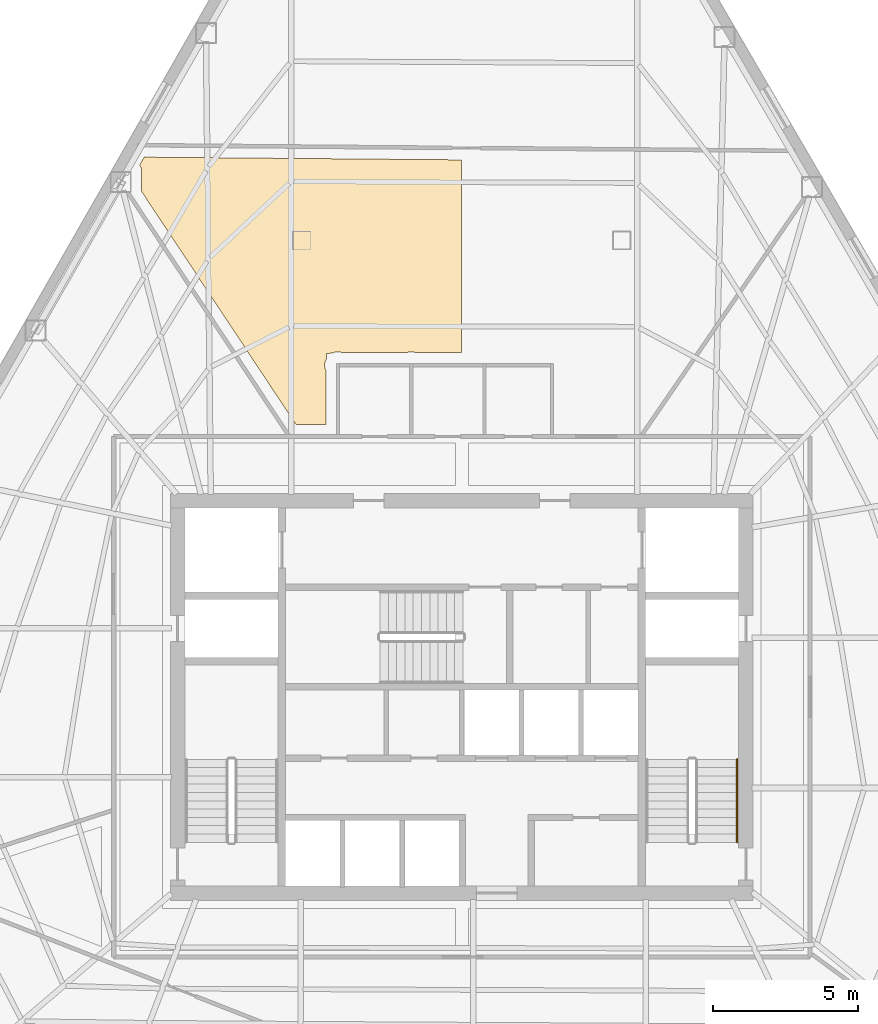
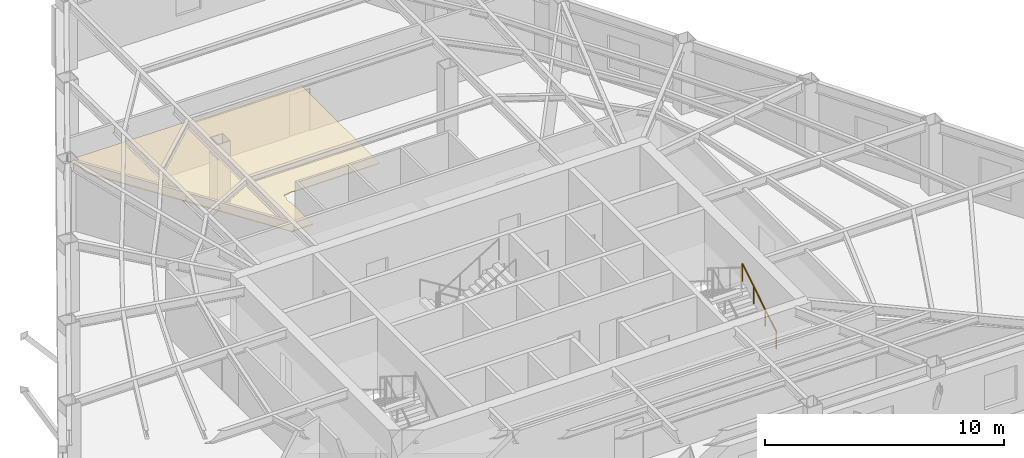
# One storey, part 13 of 13: 1 covering, 1 railing.
"""IFC4 building model written with IfcOpenShell, lengths in metres."""

from ifc_helpers import new_model, si_unit, direction, frame, origin, origin_2d, place, context, subcontext, project, spatial, polyline, circle, outline, extrude, material, layer, layer_set, type_object, element, save


model = new_model("IFC4")

# Units and contexts
model_context = context("Model", 3, precision=1e-05, world=origin(), true_north=direction((0.0, 1.0)))
body_context = subcontext(model_context, "Body", "Model", "MODEL_VIEW")
ifc_project = project(units=[si_unit("LENGTHUNIT", "METRE"), si_unit("AREAUNIT", "SQUARE_METRE"), si_unit("VOLUMEUNIT", "CUBIC_METRE"), si_unit("PLANEANGLEUNIT", "RADIAN"), si_unit("MASSUNIT", "GRAM", prefix="KILO")], contexts=[model_context])

# Site, building, storey
site_placement = place(None, origin())
site = spatial("IfcSite", under=ifc_project, at=site_placement, CompositionType="ELEMENT")
building_placement = place(site_placement, origin())
building = spatial("IfcBuilding", under=site, at=building_placement, Name="Kavelnor Concourse Tower", CompositionType="ELEMENT")
storey_placement = place(building_placement, frame((0.0, 0.0, 116.300048828125)))
storey = spatial("IfcBuildingStorey", under=building, at=storey_placement, Name="L29", CompositionType="ELEMENT", Elevation=116.300048828125)

# Covering
ifc_material_1 = material(Name="Mineral fibre acoustic ceiling tile")
ifc_layer = layer(ifc_material_1, 0.0400390625, Name="Mineral fibre acoustic ceiling tile")
ifc_layer_set = layer_set([ifc_layer], Name="Mineral fibre acoustic ceiling tile")
covering_type = type_object("IfcCoveringType", Name="COV-CEILING-ACOUSTIC", PredefinedType="CEILING", material=ifc_layer_set)
covering_placement = place(storey_placement, frame((0.0, 0.0, 2.75)))
element("IfcCovering", 1, at=covering_placement, inside=storey, type_object=covering_type, Name="L29 Suspended Acoustic Ceiling", PredefinedType="CEILING", context=body_context, shape_type="SweptSolid", body=[
    extrude(outline(polyline([(37.9951171875, 27.94091796875), (36.39990234375, 27.93994140625), (36.377685546875, 27.947998046875), (36.339111328125, 27.95751953125), (36.2998046875, 27.96337890625), (36.260009765625, 27.96533203125), (36.22021484375, 27.96337890625), (36.180908203125, 27.95751953125), (36.142333984375, 27.947998046875), (36.123291015625, 27.941162109375), (33.8798828125, 27.93994140625), (33.857666015625, 27.947998046875), (33.819091796875, 27.95751953125), (33.77978515625, 27.96337890625), (33.739990234375, 27.96533203125), (33.7001953125, 27.96337890625), (33.660888671875, 27.95751953125), (33.622314453125, 27.947998046875), (33.5849609375, 27.9345703125), (33.573486328125, 27.92919921875), (33.340087890625, 27.899658203125), (33.340087890625, 27.70361328125), (33.33251953125, 27.691162109375), (33.3154296875, 27.655029296875), (33.302001953125, 27.61767578125), (33.29248046875, 27.5791015625), (33.28662109375, 27.539794921875), (33.28466796875, 27.5), (33.28662109375, 27.460205078125), (33.29248046875, 27.4208984375), (33.302001953125, 27.38232421875), (33.3154296875, 27.344970703125), (33.33251953125, 27.308837890625), (33.3349609375, 27.3046875), (33.3349609375, 25.472412109375), (32.291015625, 25.472412109375), (26.99169921875, 33.474609375), (26.99169921875, 34.1787109375), (26.990478515625, 34.20556640625), (26.9853515625, 34.240478515625), (26.976806640625, 34.27490234375), (26.96484375, 34.30810546875), (26.94970703125, 34.340087890625), (26.931396484375, 34.37060546875), (26.922119140625, 34.383056640625), (27.080078125, 34.658935546875), (37.9951171875, 34.565185546875), (37.9951171875, 27.94091796875)])), origin(), (0.0, 0.0, 1.0), 0.0400390625),
])

# Railing
ifc_material_2 = material(Name="Steel Grade 350", Category="steel")
railing_type = type_object("IfcRailingType", Name="RLG-HANDRAIL-900", PredefinedType="HANDRAIL", material=ifc_material_2)
railing_placement = place(storey_placement, frame((47.469970703125, 11.10009765625, 0.175048828125)))
element("IfcRailing", 2, at=railing_placement, inside=storey, type_object=railing_type, Name="L29 ST2 stair handrail 1", PredefinedType="HANDRAIL", context=body_context, shape_type="SweptSolid", body=[
    extrude(circle(Radius=0.02392578125, at=origin_2d()), frame((0.0, 0.0, 0.8759765625), z_axis=(0.0, 0.852159232446, 0.523282564737), x_axis=(-1.0, 0.0, 0.0)), (0.0, 0.0, 1.0), 3.34423828125),
    extrude(circle(Radius=0.02099609375, at=origin_2d()), origin(), (0.0, 0.0, 1.0), 0.851806640625),
    extrude(circle(Radius=0.02099609375, at=origin_2d()), frame((0.0, 0.949951171875, 0.583251953125)), (0.0, 0.0, 1.0), 0.851806640625),
    extrude(circle(Radius=0.02099609375, at=origin_2d()), frame((0.0, 1.89990234375, 1.166748046875)), (0.0, 0.0, 1.0), 0.851806640625),
    extrude(circle(Radius=0.02099609375, at=origin_2d()), frame((0.0, 2.849853515625, 1.75)), (0.0, 0.0, 1.0), 0.851806640625),
])

save(model, "model.ifc")
